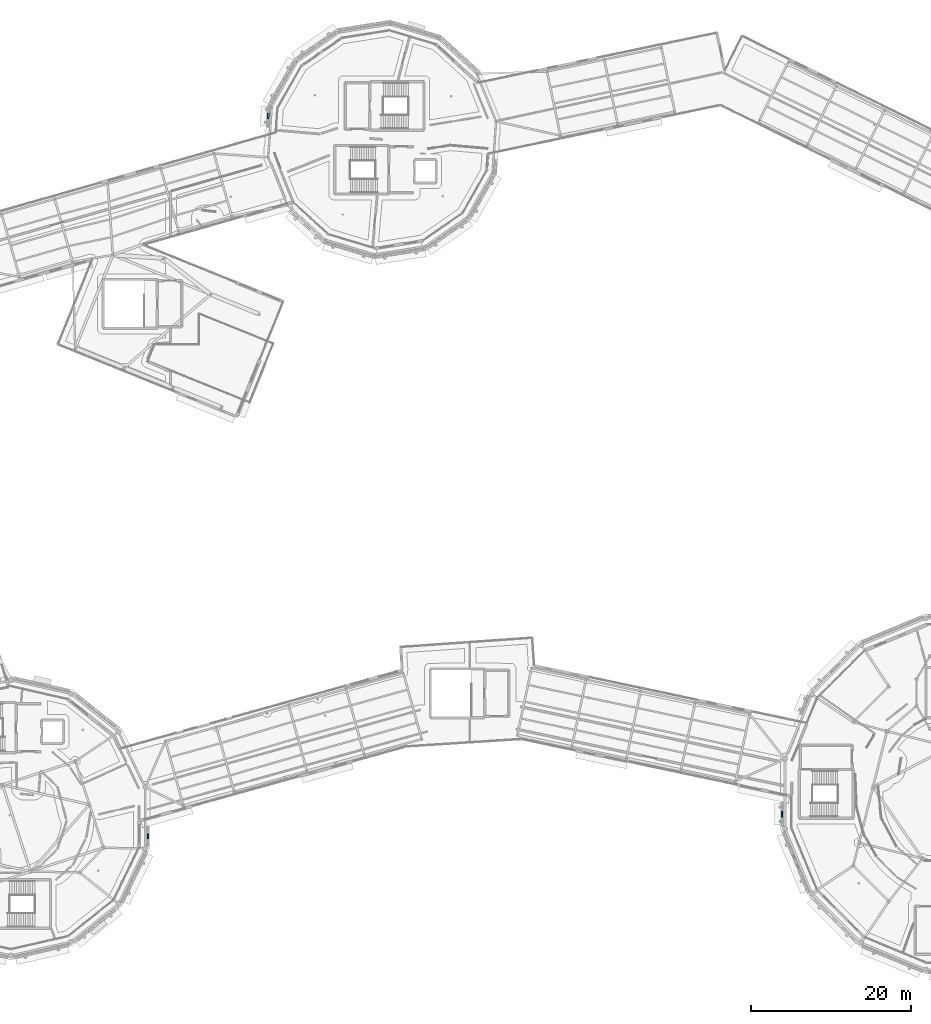
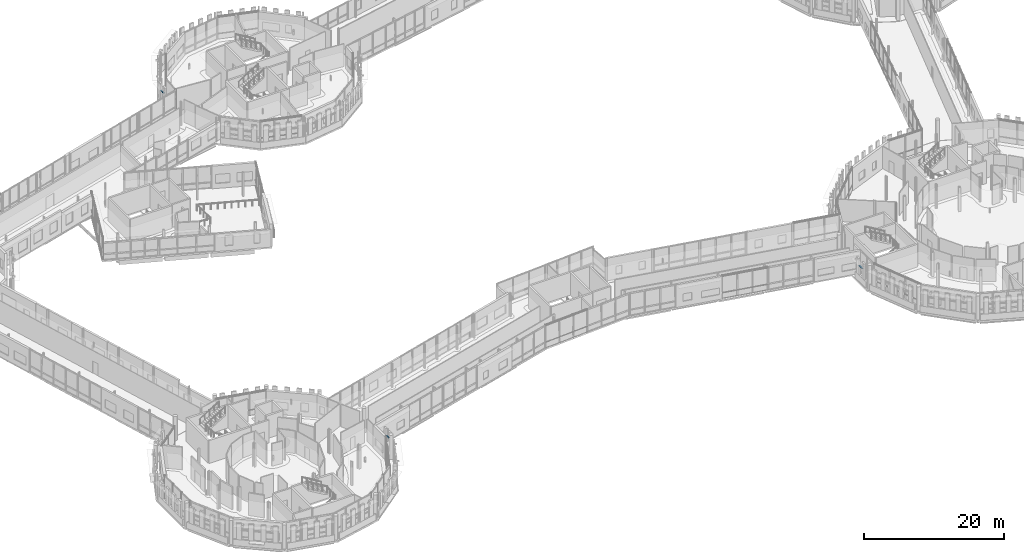
# One storey, part 84 of 125: 3 plates.
"""IFC4 building model written with IfcOpenShell, lengths in metres."""

from ifc_helpers import new_model, si_unit, direction, frame, origin, origin_2d, place, context, subcontext, project, spatial, rectangle, extrude, material, layer, layer_set, type_object, element, save


model = new_model("IFC4")

# Units and contexts
model_context = context("Model", 3, precision=1e-05, world=origin(), true_north=direction((0.0, 1.0)))
body_context = subcontext(model_context, "Body", "Model", "MODEL_VIEW")
ifc_project = project(units=[si_unit("LENGTHUNIT", "METRE"), si_unit("AREAUNIT", "SQUARE_METRE"), si_unit("VOLUMEUNIT", "CUBIC_METRE"), si_unit("PLANEANGLEUNIT", "RADIAN"), si_unit("MASSUNIT", "GRAM", prefix="KILO")], contexts=[model_context])

# Site, building, storey
site_placement = place(None, origin())
site = spatial("IfcSite", under=ifc_project, at=site_placement, CompositionType="ELEMENT")
building_placement = place(site_placement, origin())
building = spatial("IfcBuilding", under=site, at=building_placement, Name="Wrenclough Park School", CompositionType="ELEMENT")
storey_placement = place(building_placement, frame((0.0, 0.0, 4.199951171875)))
storey = spatial("IfcBuildingStorey", under=building, at=storey_placement, Name="L01", CompositionType="ELEMENT", Elevation=4.199951171875)

# Plates
ifc_material = material(Name="Anodised architectural aluminium solar shading fin plate", Category="aluminium")
ifc_layer = layer(ifc_material, 0.0380859375)
ifc_layer_set = layer_set([ifc_layer], Name="Anodised architectural aluminium solar shading fin plate")
plate_type = type_object("IfcPlateType", Name="ENV-PL-BSF", PredefinedType="SHEET", material=ifc_layer_set)
plate_1_placement = place(storey_placement, frame((133.121826171875, 23.9453125, 2.72216796875), z_axis=(0.0, 0.0, 1.0), x_axis=(0.0, -1.0, 0.0)))
element("IfcPlate", 1, at=plate_1_placement, inside=storey, type_object=plate_type, Name="D1 L01 open-bond brick screen tie band 0140", PredefinedType="SHEET", context=body_context, shape_type="SweptSolid", body=[
    extrude(rectangle(XDim=0.92626953125, YDim=0.219970703125, at=origin_2d()), origin(), (0.0, 0.0, 1.0), 0.0419921875),
])
plate_2_placement = place(storey_placement, frame((53.673583984375, 21.195556640625, 2.72216796875), z_axis=(0.0, 0.0, 1.0), x_axis=(0.0, 1.0, 0.0)))
element("IfcPlate", 2, at=plate_2_placement, inside=storey, type_object=plate_type, Name="D2 L01 open-bond brick screen tie band 0204", PredefinedType="SHEET", context=body_context, shape_type="SweptSolid", body=[
    extrude(rectangle(XDim=0.756591796875, YDim=0.219970703125, at=origin_2d()), origin(), (0.0, 0.0, 1.0), 0.0419921875),
])
plate_3_placement = place(storey_placement, frame((68.720947265625, 111.431884765625, 2.72216796875), z_axis=(0.0, 0.0, 1.0), x_axis=(-0.067258571961, -0.997735578446, 0.0)))
element("IfcPlate", 3, at=plate_3_placement, inside=storey, type_object=plate_type, Name="D4 L01 open-bond brick screen tie band 0244", PredefinedType="SHEET", context=body_context, shape_type="SweptSolid", body=[
    extrude(rectangle(XDim=0.84619140625, YDim=0.219970703125, at=origin_2d()), origin(), (0.0, 0.0, 1.0), 0.0419921875),
])

save(model, "model.ifc")
